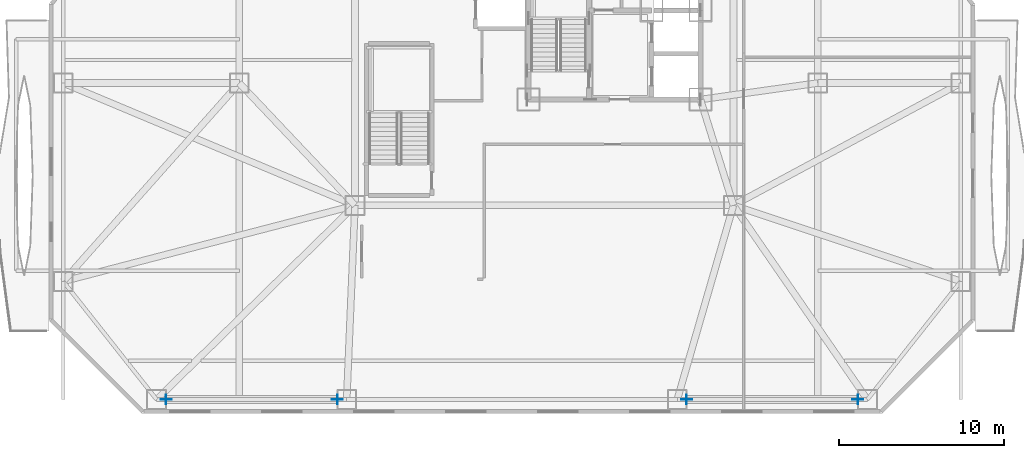
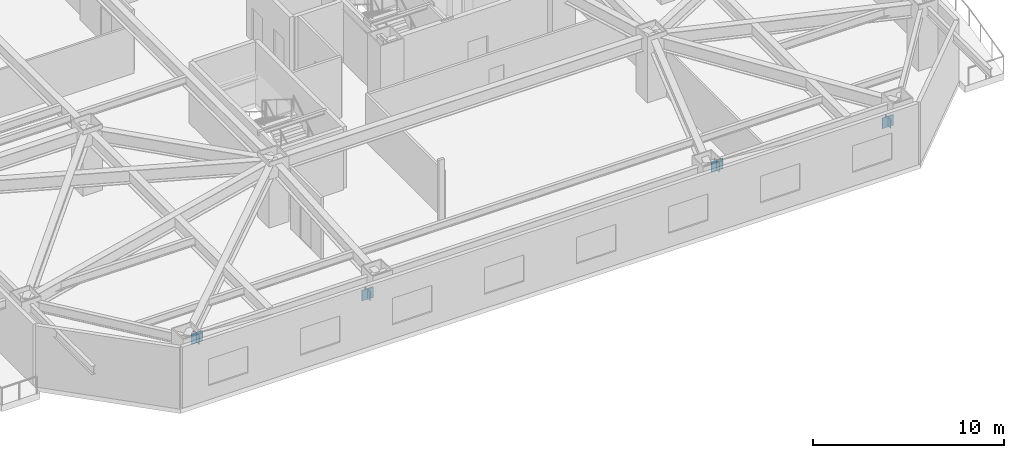
# One storey, part 14 of 25: 8 plates.
"""IFC4 building model written with IfcOpenShell, lengths in metres."""

import ifcopenshell
import ifcopenshell.guid

model = None  # the IFC model being written
_history = None  # IfcOwnerHistory: only IFC2X3 demands one
_inside = {}  # id of a spatial element -> (the spatial element, [elements in it])
_under = {}  # id of a project, library or spatial element -> (it, [spatial elements below it])
_declared = {}  # id of a project -> (the project, [libraries it declares])
_typed = {}  # id of a type object -> (the type object, [elements of that type])
_made_of = {}  # id of a material, layer set ... -> (it, [elements and type objects made of it])


def new_model(schema):
    """Start an empty IFC model of exactly this schema.

    Asked for "IFC4X3", IfcOpenShell would pick the latest addendum, in which some entities
    have other attributes; the version numbers below select the first issue.
    IFC2X3 requires an IfcOwnerHistory on every rooted entity: one is made here for all.
    """
    global model, _history
    if schema == "IFC4X3":
        model = ifcopenshell.file(schema_version=(4, 3, 0, 0))
    else:
        model = ifcopenshell.file(schema=schema)
    _inside.clear()
    _under.clear()
    _declared.clear()
    _typed.clear()
    _made_of.clear()
    _history = None
    if model.schema == "IFC2X3":
        org = make("IfcOrganization", Name="unknown")
        user = make(
            "IfcPersonAndOrganization",
            ThePerson=make("IfcPerson", FamilyName="unknown"),
            TheOrganization=org,
        )
        app = make(
            "IfcApplication",
            ApplicationDeveloper=org,
            Version="unknown",
            ApplicationFullName="unknown",
            ApplicationIdentifier="unknown",
        )
        _history = make(
            "IfcOwnerHistory",
            OwningUser=user,
            OwningApplication=app,
            ChangeAction="ADDED",
            CreationDate=0,
        )
    return model


def make(cls, **values):
    """One entity of the class cls with the attributes given. An attribute that is None is left unset."""
    return model.create_entity(
        cls, **{name: value for name, value in values.items() if value is not None}
    )


def rooted(cls, **values):
    """An entity with a GlobalId (a new one), such as an element, a storey or a relation."""
    return make(cls, GlobalId=ifcopenshell.guid.new(), OwnerHistory=_history, **values)


def si_unit(unit_type, name, prefix=None):
    """IfcSIUnit, for example si_unit("LENGTHUNIT", "METRE", prefix="MILLI")."""
    return make("IfcSIUnit", UnitType=unit_type, Prefix=prefix, Name=name)


def assignment(units):
    """IfcUnitAssignment: the units of a project."""
    return None if units is None else make("IfcUnitAssignment", Units=units)


def point(xyz):
    """IfcCartesianPoint."""
    return None if xyz is None else make("IfcCartesianPoint", Coordinates=xyz)


def direction(xyz):
    """IfcDirection."""
    return None if xyz is None else make("IfcDirection", DirectionRatios=xyz)


def frame(location, z_axis=None, x_axis=None):
    """IfcAxis2Placement3D, a coordinate frame: its origin and axes. An axis left out is left unset."""
    return make(
        "IfcAxis2Placement3D",
        Location=point(location),
        Axis=direction(z_axis),
        RefDirection=direction(x_axis),
    )


def frame_2d(location, x_axis=None):
    """IfcAxis2Placement2D, a coordinate frame in the plane: its origin and x axis."""
    return make(
        "IfcAxis2Placement2D", Location=point(location), RefDirection=direction(x_axis)
    )


def origin():
    """The frame at (0, 0, 0) with its axes left unset."""
    return frame((0.0, 0.0, 0.0))


def origin_2d():
    """The frame at (0, 0) in the plane with its x axis left unset."""
    return frame_2d((0.0, 0.0))


def place(relative_to, where):
    """IfcLocalPlacement: puts the frame where relative to a parent placement (None: the world)."""
    return make(
        "IfcLocalPlacement", PlacementRelTo=relative_to, RelativePlacement=where
    )


def context(
    kind, dimensions, precision=None, world=None, true_north=None, identifier=None
):
    """IfcGeometricRepresentationContext, for example the 3D "Model" context."""
    return make(
        "IfcGeometricRepresentationContext",
        ContextIdentifier=identifier,
        ContextType=kind,
        CoordinateSpaceDimension=dimensions,
        Precision=precision,
        WorldCoordinateSystem=world,
        TrueNorth=true_north,
    )


def subcontext(parent, identifier, kind, view, scale=None):
    """IfcGeometricRepresentationSubContext, for example "Body" below "Model"."""
    return make(
        "IfcGeometricRepresentationSubContext",
        ContextIdentifier=identifier,
        ContextType=kind,
        ParentContext=parent,
        TargetScale=scale,
        TargetView=view,
    )


def project(units=None, contexts=None):
    """IfcProject with its units and contexts."""
    return rooted(
        "IfcProject",
        Name="project",
        RepresentationContexts=contexts,
        UnitsInContext=assignment(units),
    )


def spatial(cls, under=None, at=None, **own):
    """A site, building, storey or space (cls), placed at a placement, below another one or the project."""
    s = rooted(cls, ObjectPlacement=at, **own)
    if under is not None:
        _under.setdefault(under.id(), (under, []))[1].append(s)
    return s


def profile(cls, at=None, kind="AREA", **sizes):
    """A parametric profile (cls). Its sizes go by their IFC names, for example OverallWidth=200.0."""
    return make(cls, ProfileType=kind, Position=at, **sizes)


def rectangle(**sizes):
    """IfcRectangleProfileDef."""
    return profile("IfcRectangleProfileDef", **sizes)


def extrude(swept, where, along, depth):
    """IfcExtrudedAreaSolid: the profile swept, set in the frame where, extruded along a direction by depth."""
    return make(
        "IfcExtrudedAreaSolid",
        SweptArea=swept,
        Position=where,
        ExtrudedDirection=direction(along),
        Depth=depth,
    )


def shape(context_of_items, identifier, shape_type, items):
    """IfcShapeRepresentation: the items that make up one representation, for example the "Body"."""
    return make(
        "IfcShapeRepresentation",
        ContextOfItems=context_of_items,
        RepresentationIdentifier=identifier,
        RepresentationType=shape_type,
        Items=items,
    )


def material(Name=None, Category=None):
    """IfcMaterial."""
    return make("IfcMaterial", Name=Name, Category=Category)


def layer(
    of_material, thickness, ventilated=None, Name=None, Category=None, Priority=None
):
    """IfcMaterialLayer: one layer of a wall or slab, of a material (None: an air gap)."""
    return make(
        "IfcMaterialLayer",
        Material=of_material,
        LayerThickness=thickness,
        IsVentilated=ventilated,
        Name=Name,
        Category=Category,
        Priority=Priority,
    )


def layer_set(layers, Name=None):
    """IfcMaterialLayerSet."""
    return make("IfcMaterialLayerSet", MaterialLayers=layers, LayerSetName=Name)


def made_of(thing, what):
    """Note that an element or type object is made of a material, layer set ...; save() writes the relation."""
    if what is not None:
        _made_of.setdefault(what.id(), (what, []))[1].append(thing)
    return thing


def type_object(cls, material=None, **own):
    """A type object (cls), such as IfcWallType, which elements share."""
    return made_of(rooted(cls, **own), material)


def element(
    cls,
    number,
    at=None,
    inside=None,
    cuts=None,
    type_object=None,
    material=None,
    context=None,
    identifier="Body",
    shape_type=None,
    held_by="IfcProductDefinitionShape",
    body=None,
    shapes=None,
    **own,
):
    """One element of the class cls, such as IfcWall. Its Tag is "e" and its number.

    at: its placement. inside: the storey or other place that contains it. cuts: it is an
    opening in that element (IfcRelVoidsElement). A single representation is given by context,
    identifier, shape_type and body (its items); several are given by shapes. held_by: the class
    of the entity that holds the representations. save() writes the other relations.
    """
    e = rooted(cls, Tag="e%d" % number, ObjectPlacement=at, **own)
    if body is not None:
        shapes = [shape(context, identifier, shape_type, body)]
    if shapes is not None:
        e.Representation = make(held_by, Representations=shapes)
    if inside is not None:
        _inside.setdefault(inside.id(), (inside, []))[1].append(e)
    if cuts is not None:
        rooted(
            "IfcRelVoidsElement", RelatingBuildingElement=cuts, RelatedOpeningElement=e
        )
    if type_object is not None:
        _typed.setdefault(type_object.id(), (type_object, []))[1].append(e)
    return made_of(e, material)


def aggregate(whole, parts):
    """IfcRelAggregates: a whole, such as a stair, and the parts it consists of."""
    return rooted("IfcRelAggregates", RelatingObject=whole, RelatedObjects=parts)


def save(model, path):
    """Write the relations noted so far, then the file.

    IfcRelAggregates (storeys below a building ...), IfcRelContainedInSpatialStructure (elements
    in a storey), IfcRelDefinesByType, IfcRelAssociatesMaterial and IfcRelDeclares: one each for
    every whole, place, type object, material and project.
    """
    for whole, parts in _under.values():
        aggregate(whole, parts)
    for where, things in _inside.values():
        rooted(
            "IfcRelContainedInSpatialStructure",
            RelatedElements=things,
            RelatingStructure=where,
        )
    for kind, things in _typed.values():
        rooted("IfcRelDefinesByType", RelatedObjects=things, RelatingType=kind)
    for what, things in _made_of.values():
        rooted("IfcRelAssociatesMaterial", RelatedObjects=things, RelatingMaterial=what)
    for by, libraries in _declared.values():
        rooted("IfcRelDeclares", RelatingContext=by, RelatedDefinitions=libraries)
    model.write(path)


model = new_model("IFC4")

# Units and contexts
model_context = context("Model", 3, precision=1e-05, world=origin(), true_north=direction((0.0, 1.0)))
body_context = subcontext(model_context, "Body", "Model", "MODEL_VIEW")
ifc_project = project(units=[si_unit("LENGTHUNIT", "METRE"), si_unit("AREAUNIT", "SQUARE_METRE"), si_unit("VOLUMEUNIT", "CUBIC_METRE"), si_unit("PLANEANGLEUNIT", "RADIAN"), si_unit("MASSUNIT", "GRAM", prefix="KILO")], contexts=[model_context])

# Site, building, storey
site_placement = place(None, origin())
site = spatial("IfcSite", under=ifc_project, at=site_placement, CompositionType="ELEMENT")
building_placement = place(site_placement, origin())
building = spatial("IfcBuilding", under=site, at=building_placement, Name="Khamvora Tower", CompositionType="ELEMENT")
storey_placement = place(building_placement, frame((0.0, 0.0, 16.199951171875)))
storey = spatial("IfcBuildingStorey", under=building, at=storey_placement, Name="L03", CompositionType="ELEMENT", Elevation=16.199951171875)

# Plates
ifc_material_1 = material(Name="Steel S355", Category="steel")
ifc_layer_1 = layer(ifc_material_1, 0.02490234375)
ifc_layer_set_1 = layer_set([ifc_layer_1], Name="Steel S355")
plate_type_1 = type_object("IfcPlateType", Name="PL-CAP-25", PredefinedType="SHEET", material=ifc_layer_set_1)
for number, where, z_axis, x_axis, name in (
    (1, (17.43408203125, 0.85009765625, 2.44189453125), (0.0, 0.0, 1.0), (-1.0, 0.0, 0.0), "L03 hollow section steel end cap plate 0428"),
    (2, (7.06591796875, 0.85009765625, 3.2822265625), (0.0, 0.0, 1.0), (-1.0, 0.0, 0.0), "L03 hollow section steel end cap plate 0429"),
    (3, (48.93408203125, 0.85009765625, 2.44189453125), (0.0, 0.0, 1.0), (-1.0, 0.0, 0.0), "L03 hollow section steel end cap plate 0430"),
    (4, (38.56591796875, 0.85009765625, 3.2822265625), (0.0, 0.0, 1.0), (-1.0, 0.0, 0.0), "L03 hollow section steel end cap plate 0431"),
):
    element("IfcPlate", number, at=place(storey_placement, frame(where, z_axis=z_axis, x_axis=x_axis)), inside=storey, type_object=plate_type_1, Name=name, PredefinedType="SHEET", context=body_context, shape_type="SweptSolid", body=[
        extrude(rectangle(XDim=0.02490234375, YDim=0.568115234375, at=origin_2d()), origin(), (0.0, 0.0, 1.0), 0.568115234375),
    ])
ifc_material_2 = material(Name="Steel S460", Category="steel")
ifc_layer_2 = layer(ifc_material_2, 0.0400390625)
ifc_layer_set_2 = layer_set([ifc_layer_2], Name="Steel S460")
plate_type_2 = type_object("IfcPlateType", Name="PLT-GUS-40", PredefinedType="SHEET", material=ifc_layer_set_2)
for number, where, z_axis, x_axis, name in (
    (5, (17.422119140625, 0.85009765625, 2.38720703125), (0.0, 0.0, 1.0), (1.0, 0.0, 0.0), "L03 brace connection node gusset plate 0041"),
    (6, (7.077880859375, 0.85009765625, 3.22509765625), (0.0, 0.0, 1.0), (1.0, 0.0, 0.0), "L03 brace connection node gusset plate 0042"),
    (7, (48.922119140625, 0.85009765625, 2.38720703125), (0.0, 0.0, 1.0), (1.0, 0.0, 0.0), "L03 brace connection node gusset plate 0043"),
    (8, (38.577880859375, 0.85009765625, 3.22509765625), (0.0, 0.0, 1.0), (1.0, 0.0, 0.0), "L03 brace connection node gusset plate 0044"),
):
    element("IfcPlate", number, at=place(storey_placement, frame(where, z_axis=z_axis, x_axis=x_axis)), inside=storey, type_object=plate_type_2, Name=name, PredefinedType="SHEET", context=body_context, shape_type="SweptSolid", body=[
        extrude(rectangle(XDim=0.679931640625, YDim=0.0400390625, at=origin_2d()), origin(), (0.0, 0.0, 1.0), 0.679931640625),
    ])

save(model, "model.ifc")
